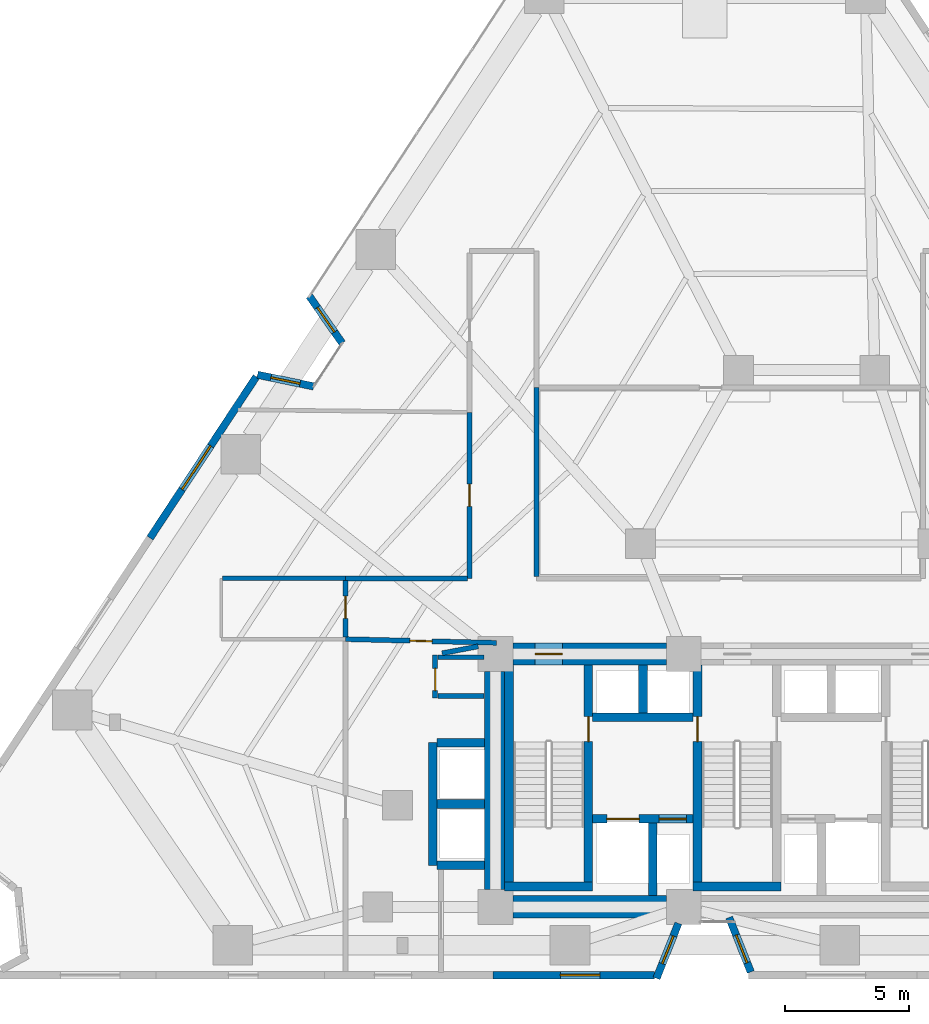
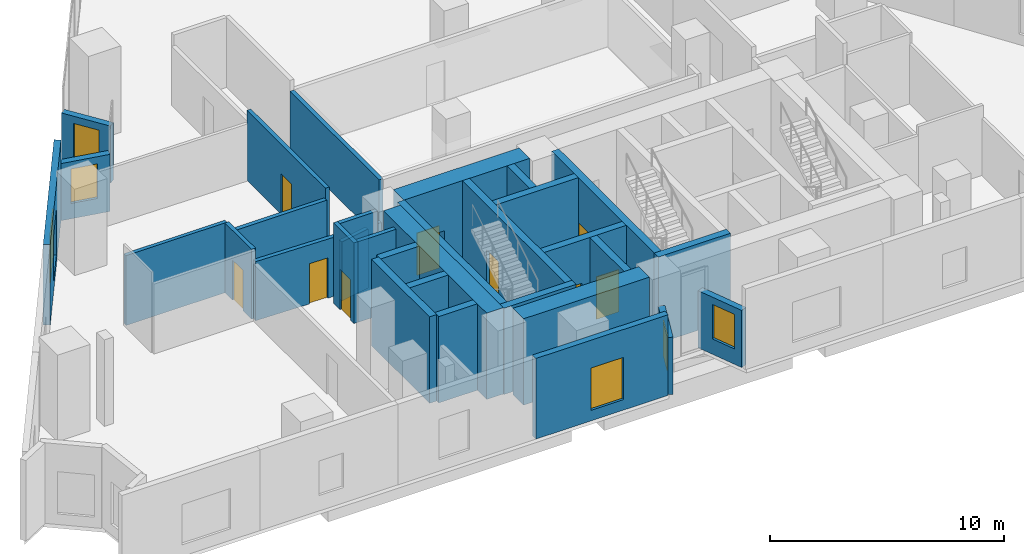
# One storey, part 7 of 12: 32 walls, 9 doors, 6 windows, 15 openings.
"""IFC4 building model written with IfcOpenShell, lengths in metres."""

from ifc_helpers import new_model, si_unit, direction, frame, frame_2d, origin, place, context, subcontext, project, spatial, rectangle, extrude, material, layer, layer_set, type_object, element, fill, save


model = new_model("IFC4")

# Units and contexts
model_context = context("Model", 3, precision=1e-05, world=origin(), true_north=direction((0.0, 1.0)))
body_context = subcontext(model_context, "Body", "Model", "MODEL_VIEW")
ifc_project = project(units=[si_unit("LENGTHUNIT", "METRE"), si_unit("AREAUNIT", "SQUARE_METRE"), si_unit("VOLUMEUNIT", "CUBIC_METRE"), si_unit("PLANEANGLEUNIT", "RADIAN"), si_unit("MASSUNIT", "GRAM", prefix="KILO")], contexts=[model_context])

# Site, building, storey
site_placement = place(None, origin())
site = spatial("IfcSite", under=ifc_project, at=site_placement, CompositionType="ELEMENT")
building_placement = place(site_placement, origin())
building = spatial("IfcBuilding", under=site, at=building_placement, Name="Almagre Mirador Tower", CompositionType="ELEMENT")
storey_placement = place(building_placement, frame((0.0, 0.0, 12.89990234375)))
storey = spatial("IfcBuildingStorey", under=building, at=storey_placement, Name="L02", CompositionType="ELEMENT", Elevation=12.89990234375)

# Wall, opening, window
ifc_material_1 = material(Name="Precast concrete C50/60", Category="concrete")
ifc_layer_1 = layer(ifc_material_1, 0.300048828125)
ifc_layer_set_1 = layer_set([ifc_layer_1], Name="Precast concrete C50/60")
wall_type_1 = type_object("IfcWallType", Name="WAL-EXT-300", PredefinedType="SOLIDWALL", material=ifc_layer_set_1)
wall_1_placement = place(storey_placement, frame((17.955078125, 26.012939453125, 0.0), z_axis=(0.0, 0.0, 1.0), x_axis=(0.97922646473, -0.202769649536, 0.0)))
wall_1 = element("IfcWall", 1, at=wall_1_placement, inside=storey, type_object=wall_type_1, Name="L02 expressed almagre precast frame wall 01", PredefinedType="SOLIDWALL", context=body_context, shape_type="SweptSolid", body=[
    extrude(rectangle(XDim=2.31298828125, YDim=0.300048828125, at=frame_2d((1.156494140625, 0.0))), origin(), (0.0, 0.0, 1.0), 2.97509765625),
])
opening_1_placement = place(wall_1_placement, frame((0.550048828125, 0.0, 0.800048828125)))
opening_1 = element("IfcOpeningElement", 2, at=opening_1_placement, cuts=wall_1, Name="Opening WN-04", PredefinedType="OPENING", context=body_context, shape_type="SweptSolid", body=[
    extrude(rectangle(XDim=1.199951171875, YDim=1.800048828125, at=frame_2d((0.60009765625, 0.89990234375))), frame((0.0, 0.159902, 0.0), z_axis=(0.0, -1.0, 0.0), x_axis=(1.0, 0.0, 0.0)), (0.0, 0.0, 1.0), 0.320049),
])
ifc_material_2 = material(Name="Dark solar-control laminated hurricane glass", Category="glass")
window_type_1 = type_object("IfcWindowType", Name="WIN-1200X1800", PartitioningType="SINGLE_PANEL", PredefinedType="WINDOW", material=ifc_material_2)
window_1_placement = place(opening_1_placement, origin())
window_1 = element("IfcWindow", 3, at=window_1_placement, inside=storey, type_object=window_type_1, Name="L02 recessed hurricane window L02-TRN-10", OverallHeight=1.800048828125, OverallWidth=1.199951171875, PartitioningType="SINGLE_PANEL", PredefinedType="WINDOW", context=body_context, shape_type="SweptSolid", body=[
    extrude(rectangle(XDim=1.199951171875, YDim=1.800048828125, at=frame_2d((0.60009765625, 0.89990234375))), frame((0.0, 0.030029296875, 0.0), z_axis=(0.0, -1.0, 0.0), x_axis=(1.0, 0.0, 0.0)), (0.0, 0.0, 1.0), 0.06005859375),
])
fill(opening_1, window_1)

wall_2_placement = place(storey_placement, frame((21.3701171875, 27.2900390625, 0.0), z_axis=(0.0, 0.0, 1.0), x_axis=(-0.572683186414, 0.819776779373, 0.0)))
wall_2 = element("IfcWall", 4, at=wall_2_placement, inside=storey, type_object=wall_type_1, Name="L02 expressed almagre precast frame wall 02", PredefinedType="SOLIDWALL", context=body_context, shape_type="SweptSolid", body=[
    extrude(rectangle(XDim=2.31396484375, YDim=0.300048828125, at=frame_2d((1.156982421875, 0.0))), origin(), (0.0, 0.0, 1.0), 2.97509765625),
])
opening_2_placement = place(wall_2_placement, frame((0.550048828125, 0.0, 0.800048828125)))
opening_2 = element("IfcOpeningElement", 5, at=opening_2_placement, cuts=wall_2, Name="Opening WN-04", PredefinedType="OPENING", context=body_context, shape_type="SweptSolid", body=[
    extrude(rectangle(XDim=1.199951171875, YDim=1.800048828125, at=frame_2d((0.60009765625, 0.89990234375))), frame((0.0, 0.159902, 0.0), z_axis=(0.0, -1.0, 0.0), x_axis=(1.0, 0.0, 0.0)), (0.0, 0.0, 1.0), 0.320049),
])
window_2_placement = place(opening_2_placement, origin())
window_2 = element("IfcWindow", 6, at=window_2_placement, inside=storey, type_object=window_type_1, Name="L02 recessed hurricane window L02-TRN-10", OverallHeight=1.800048828125, OverallWidth=1.199951171875, PartitioningType="SINGLE_PANEL", PredefinedType="WINDOW", context=body_context, shape_type="SweptSolid", body=[
    extrude(rectangle(XDim=1.199951171875, YDim=1.800048828125, at=frame_2d((0.60009765625, 0.89990234375))), frame((0.0, 0.030029296875, 0.0), z_axis=(0.0, -1.0, 0.0), x_axis=(1.0, 0.0, 0.0)), (0.0, 0.0, 1.0), 0.06005859375),
])
fill(opening_2, window_2)

wall_3_placement = place(storey_placement, frame((37.85009765625, 1.92529296875, 0.0), z_axis=(0.0, 0.0, 1.0), x_axis=(-0.36946923074, 0.92924296475, 0.0)))
wall_3 = element("IfcWall", 7, at=wall_3_placement, inside=storey, type_object=wall_type_1, Name="L02 expressed almagre precast frame wall 23", PredefinedType="SOLIDWALL", context=body_context, shape_type="SweptSolid", body=[
    extrude(rectangle(XDim=2.366943359375, YDim=0.300048828125, at=frame_2d((1.18359375, 0.0))), origin(), (0.0, 0.0, 1.0), 2.97509765625),
])
opening_3_placement = place(wall_3_placement, frame((0.39990234375, 0.0, 0.800048828125)))
opening_3 = element("IfcOpeningElement", 8, at=opening_3_placement, cuts=wall_3, Name="Opening WN-04", PredefinedType="OPENING", context=body_context, shape_type="SweptSolid", body=[
    extrude(rectangle(XDim=1.199951171875, YDim=1.800048828125, at=frame_2d((0.60009765625, 0.89990234375))), frame((0.0, 0.159902, 0.0), z_axis=(0.0, -1.0, 0.0), x_axis=(1.0, 0.0, 0.0)), (0.0, 0.0, 1.0), 0.320049),
])
window_3_placement = place(opening_3_placement, origin())
window_3 = element("IfcWindow", 9, at=window_3_placement, inside=storey, type_object=window_type_1, Name="L02 recessed hurricane window L02-AUD-2", OverallHeight=1.800048828125, OverallWidth=1.199951171875, PartitioningType="SINGLE_PANEL", PredefinedType="WINDOW", context=body_context, shape_type="SweptSolid", body=[
    extrude(rectangle(XDim=1.199951171875, YDim=1.800048828125, at=frame_2d((0.60009765625, 0.89990234375))), frame((0.0, 0.030029296875, 0.0), z_axis=(0.0, -1.0, 0.0), x_axis=(1.0, 0.0, 0.0)), (0.0, 0.0, 1.0), 0.06005859375),
])
fill(opening_3, window_3)

wall_4_placement = place(storey_placement, frame((34.930419921875, 3.887939453125, 0.0), z_axis=(0.0, 0.0, 1.0), x_axis=(-0.369538313764, -0.9292154942, 0.0)))
wall_4 = element("IfcWall", 10, at=wall_4_placement, inside=storey, type_object=wall_type_1, Name="L02 expressed almagre precast frame wall 24", PredefinedType="SOLIDWALL", context=body_context, shape_type="SweptSolid", body=[
    extrude(rectangle(XDim=2.386962890625, YDim=0.300048828125, at=frame_2d((1.193359375, 0.0))), origin(), (0.0, 0.0, 1.0), 2.97509765625),
])
opening_4_placement = place(wall_4_placement, frame((0.550048828125, 0.0, 0.800048828125)))
opening_4 = element("IfcOpeningElement", 11, at=opening_4_placement, cuts=wall_4, Name="Opening WN-04", PredefinedType="OPENING", context=body_context, shape_type="SweptSolid", body=[
    extrude(rectangle(XDim=1.199951171875, YDim=1.800048828125, at=frame_2d((0.60009765625, 0.89990234375))), frame((0.0, 0.159902, 0.0), z_axis=(0.0, -1.0, 0.0), x_axis=(1.0, 0.0, 0.0)), (0.0, 0.0, 1.0), 0.320049),
])
window_4_placement = place(opening_4_placement, origin())
window_4 = element("IfcWindow", 12, at=window_4_placement, inside=storey, type_object=window_type_1, Name="L02 recessed hurricane window L02-GRN-1", OverallHeight=1.800048828125, OverallWidth=1.199951171875, PartitioningType="SINGLE_PANEL", PredefinedType="WINDOW", context=body_context, shape_type="SweptSolid", body=[
    extrude(rectangle(XDim=1.199951171875, YDim=1.800048828125, at=frame_2d((0.60009765625, 0.89990234375))), frame((0.0, 0.030029296875, 0.0), z_axis=(0.0, -1.0, 0.0), x_axis=(1.0, 0.0, 0.0)), (0.0, 0.0, 1.0), 0.06005859375),
])
fill(opening_4, window_4)

wall_5_placement = place(storey_placement, frame((33.965087890625, 1.800048828125, 0.0), z_axis=(0.0, 0.0, 1.0), x_axis=(-1.0, 0.0, 0.0)))
wall_5 = element("IfcWall", 13, at=wall_5_placement, inside=storey, type_object=wall_type_1, Name="L02 expressed almagre precast frame wall 25", PredefinedType="SOLIDWALL", context=body_context, shape_type="SweptSolid", body=[
    extrude(rectangle(XDim=6.52001953125, YDim=0.300048828125, at=frame_2d((3.260009765625, 0.0))), origin(), (0.0, 0.0, 1.0), 4.2001953125),
])
opening_5_placement = place(wall_5_placement, frame((2.199951171875, 0.0, 0.550048828125)))
opening_5 = element("IfcOpeningElement", 14, at=opening_5_placement, cuts=wall_5, Name="Opening WN-06", PredefinedType="OPENING", context=body_context, shape_type="SweptSolid", body=[
    extrude(rectangle(XDim=1.60009765625, YDim=2.199951171875, at=frame_2d((0.800048828125, 1.10009765625))), frame((0.0, 0.159902, 0.0), z_axis=(0.0, -1.0, 0.0), x_axis=(1.0, 0.0, 0.0)), (0.0, 0.0, 1.0), 0.320049),
])
ifc_material_3 = material(Name="Dark solar-control laminated hurricane glass", Category="glass")
window_type_2 = type_object("IfcWindowType", Name="WIN-1600X2200", PartitioningType="DOUBLE_PANEL_VERTICAL", PredefinedType="WINDOW", material=ifc_material_3)
window_5_placement = place(opening_5_placement, origin())
window_5 = element("IfcWindow", 15, at=window_5_placement, inside=storey, type_object=window_type_2, Name="L02 recessed hurricane window L02-GRN-1", OverallHeight=2.199951171875, OverallWidth=1.60009765625, PartitioningType="SINGLE_PANEL", PredefinedType="WINDOW", context=body_context, shape_type="SweptSolid", body=[
    extrude(rectangle(XDim=1.60009765625, YDim=2.199951171875, at=frame_2d((0.800048828125, 1.10009765625))), frame((0.0, 0.030029296875, 0.0), z_axis=(0.0, -1.0, 0.0), x_axis=(1.0, 0.0, 0.0)), (0.0, 0.0, 1.0), 0.06005859375),
])
fill(opening_5, window_5)

wall_6_placement = place(storey_placement, frame((13.615966796875, 19.42822265625, 0.0), z_axis=(0.0, 0.0, 1.0), x_axis=(0.550240418506, 0.835006276529, 0.0)))
wall_6 = element("IfcWall", 16, at=wall_6_placement, inside=storey, type_object=wall_type_1, Name="L02 expressed almagre precast frame wall 35", PredefinedType="SOLIDWALL", context=body_context, shape_type="SweptSolid", body=[
    extrude(rectangle(XDim=7.795654296875, YDim=0.300048828125, at=frame_2d((3.89794921875, 0.0))), origin(), (0.0, 0.0, 1.0), 4.2001953125),
])
opening_6_placement = place(wall_6_placement, frame((2.35009765625, 0.0, 0.550048828125)))
opening_6 = element("IfcOpeningElement", 17, at=opening_6_placement, cuts=wall_6, Name="Opening WN-05", PredefinedType="OPENING", context=body_context, shape_type="SweptSolid", body=[
    extrude(rectangle(XDim=2.10009765625, YDim=2.39990234375, at=frame_2d((1.050048828125, 1.199951171875))), frame((0.0, 0.159902, 0.0), z_axis=(0.0, -1.0, 0.0), x_axis=(1.0, 0.0, 0.0)), (0.0, 0.0, 1.0), 0.320049),
])
ifc_material_4 = material(Name="Dark solar-control laminated hurricane glass", Category="glass")
window_type_3 = type_object("IfcWindowType", Name="WIN-2100X2400", PartitioningType="DOUBLE_PANEL_VERTICAL", PredefinedType="WINDOW", material=ifc_material_4)
window_6_placement = place(opening_6_placement, origin())
window_6 = element("IfcWindow", 18, at=window_6_placement, inside=storey, type_object=window_type_3, Name="L02 recessed hurricane window L02-TRN-4", OverallHeight=2.39990234375, OverallWidth=2.10009765625, PartitioningType="SINGLE_PANEL", PredefinedType="WINDOW", context=body_context, shape_type="SweptSolid", body=[
    extrude(rectangle(XDim=2.10009765625, YDim=2.39990234375, at=frame_2d((1.050048828125, 1.199951171875))), frame((0.0, 0.030029296875, 0.0), z_axis=(0.0, -1.0, 0.0), x_axis=(1.0, 0.0, 0.0)), (0.0, 0.0, 1.0), 0.06005859375),
])
fill(opening_6, window_6)

# Wall
ifc_material_5 = material(Name="Gypsum acoustic stud partition", Category="other")
ifc_layer_2 = layer(ifc_material_5, 0.175048828125)
ifc_layer_set_2 = layer_set([ifc_layer_2], Name="Gypsum acoustic stud partition")
wall_type_2 = type_object("IfcWallType", Name="WAL-PRT-175-AC", PredefinedType="PARTITIONING", material=ifc_layer_set_2)
wall_7_placement = place(storey_placement, frame((16.534912109375, 17.800048828125, 0.0), z_axis=(0.0, 0.0, 1.0), x_axis=(1.0, 0.0, 0.0)))
element("IfcWall", 19, at=wall_7_placement, inside=storey, type_object=wall_type_2, Name="L02 interior partition 027", PredefinedType="PARTITIONING", context=body_context, shape_type="SweptSolid", body=[
    extrude(rectangle(XDim=4.965087890625, YDim=0.175048828125, at=frame_2d((2.482421875, 0.0))), origin(), (0.0, 0.0, 1.0), 3.63720703125),
])

# Wall, opening, door
ifc_material_6 = material(Name="Gypsum acoustic stud partition", Category="other")
ifc_layer_3 = layer(ifc_material_6, 0.199951171875)
ifc_layer_set_3 = layer_set([ifc_layer_3], Name="Gypsum acoustic stud partition")
wall_type_3 = type_object("IfcWallType", Name="WAL-PRT-200-EI60", PredefinedType="PARTITIONING", material=ifc_layer_set_3)
wall_8_placement = place(storey_placement, frame((25.1201171875, 12.969970703125, 0.0), z_axis=(0.0, 0.0, 1.0), x_axis=(0.0, 1.0, 0.0)))
wall_8 = element("IfcWall", 20, at=wall_8_placement, inside=storey, type_object=wall_type_3, Name="L02 core ancillary west wall", PredefinedType="PARTITIONING", context=body_context, shape_type="SweptSolid", body=[
    extrude(rectangle(XDim=1.739990234375, YDim=0.199951171875, at=frame_2d((0.8701171875, 0.0))), origin(), (0.0, 0.0, 1.0), 4.2001953125),
])
opening_7_placement = place(wall_8_placement, frame((0.304931640625, 0.0, 0.0)))
opening_7 = element("IfcOpeningElement", 21, at=opening_7_placement, cuts=wall_8, Name="Opening ID-03", PredefinedType="OPENING", context=body_context, shape_type="SweptSolid", body=[
    extrude(rectangle(XDim=0.89990234375, YDim=2.10009765625, at=frame_2d((0.449951171875, 1.050048828125))), frame((0.0, 0.110098, 0.0), z_axis=(0.0, -1.0, 0.0), x_axis=(1.0, 0.0, 0.0)), (0.0, 0.0, 1.0), 0.219951),
])
ifc_material_7 = material(Name="Fire-rated hollow steel", Category="steel")
door_type_1 = type_object("IfcDoorType", Name="DOR-FD60-900X2100", OperationType="NOTDEFINED", PredefinedType="DOOR", material=ifc_material_7)
door_1_placement = place(opening_7_placement, origin())
door_1 = element("IfcDoor", 22, at=door_1_placement, inside=storey, type_object=door_type_1, Name="DR-0094 L02 core ancillary corridor door", OperationType="SINGLE_SWING_RIGHT", OverallHeight=2.10009765625, OverallWidth=0.89990234375, PredefinedType="DOOR", context=body_context, shape_type="SweptSolid", body=[
    extrude(rectangle(XDim=0.89990234375, YDim=2.10009765625, at=frame_2d((0.449951171875, 1.050048828125))), frame((0.0, 0.02490234375, 0.0), z_axis=(0.0, -1.0, 0.0), x_axis=(1.0, 0.0, 0.0)), (0.0, 0.0, 1.0), 0.050048828125),
])
fill(opening_7, door_1)

# Walls
for number, where, z_axis, x_axis, name in (
    (23, (25.22509765625, 14.6201171875, 0.0), (0.0, 0.0, 1.0), (1.0, 0.0, 0.0), "L02 core ancillary north wall"),
    (24, (25.22509765625, 13.06005859375, 0.0), (0.0, 0.0, 1.0), (1.0, 0.0, 0.0), "L02 core ancillary south wall"),
):
    element("IfcWall", number, at=place(storey_placement, frame(where, z_axis=z_axis, x_axis=x_axis)), inside=storey, type_object=wall_type_3, Name=name, PredefinedType="PARTITIONING", context=body_context, shape_type="SweptSolid", body=[
        extrude(rectangle(XDim=1.85986328125, YDim=0.199951171875, at=frame_2d((0.929931640625, 0.0))), origin(), (0.0, 0.0, 1.0), 4.2001953125),
    ])

# Wall, opening, door
wall_9_placement = place(storey_placement, frame((21.5, 15.35009765625, 0.0), z_axis=(0.0, 0.0, 1.0), x_axis=(0.999697218396, -0.024606331118, 0.0)))
wall_9 = element("IfcWall", 25, at=wall_9_placement, inside=storey, type_object=wall_type_3, Name="L02 interior partition 001", PredefinedType="PARTITIONING", context=body_context, shape_type="SweptSolid", body=[
    extrude(rectangle(XDim=6.10205078125, YDim=0.199951171875, at=frame_2d((3.051025390625, 0.0))), origin(), (0.0, 0.0, 1.0), 3.078125),
])
opening_8_placement = place(wall_9_placement, frame((2.600830078125, 0.0, 0.0)))
opening_8 = element("IfcOpeningElement", 26, at=opening_8_placement, cuts=wall_9, Name="Opening ID-03", PredefinedType="OPENING", context=body_context, shape_type="SweptSolid", body=[
    extrude(rectangle(XDim=0.89990234375, YDim=2.10009765625, at=frame_2d((0.449951171875, 1.050048828125))), frame((0.0, 0.110098, 0.0), z_axis=(0.0, -1.0, 0.0), x_axis=(1.0, 0.0, 0.0)), (0.0, 0.0, 1.0), 0.219951),
])
door_2_placement = place(opening_8_placement, origin())
door_2 = element("IfcDoor", 27, at=door_2_placement, inside=storey, type_object=door_type_1, Name="DR-0101 L02 interior door L02-COR to L02-FOY-3", OperationType="SINGLE_SWING_LEFT", OverallHeight=2.10009765625, OverallWidth=0.89990234375, PredefinedType="DOOR", context=body_context, shape_type="SweptSolid", body=[
    extrude(rectangle(XDim=0.89990234375, YDim=2.10009765625, at=frame_2d((0.449951171875, 1.050048828125))), frame((0.0, 0.02490234375, 0.0), z_axis=(0.0, -1.0, 0.0), x_axis=(1.0, 0.0, 0.0)), (0.0, 0.0, 1.0), 0.050048828125),
])
fill(opening_8, door_2)

wall_10_placement = place(storey_placement, frame((26.5, 24.5, 0.0), z_axis=(0.0, 0.0, 1.0), x_axis=(0.0, -1.0, 0.0)))
wall_10 = element("IfcWall", 28, at=wall_10_placement, inside=storey, type_object=wall_type_3, Name="L02 interior partition 002", PredefinedType="PARTITIONING", context=body_context, shape_type="SweptSolid", body=[
    extrude(rectangle(XDim=6.699951171875, YDim=0.199951171875, at=frame_2d((3.35009765625, 0.0))), origin(), (0.0, 0.0, 1.0), 3.63720703125),
])
opening_9_placement = place(wall_10_placement, frame((2.89990234375, 0.0, 0.0)))
opening_9 = element("IfcOpeningElement", 29, at=opening_9_placement, cuts=wall_10, Name="Opening ID-03", PredefinedType="OPENING", context=body_context, shape_type="SweptSolid", body=[
    extrude(rectangle(XDim=0.89990234375, YDim=2.10009765625, at=frame_2d((0.449951171875, 1.050048828125))), frame((0.0, 0.110098, 0.0), z_axis=(0.0, -1.0, 0.0), x_axis=(1.0, 0.0, 0.0)), (0.0, 0.0, 1.0), 0.219951),
])
door_3_placement = place(opening_9_placement, origin())
door_3 = element("IfcDoor", 30, at=door_3_placement, inside=storey, type_object=door_type_1, Name="DR-0105 L02 interior door L02-COR to L02-TRN-4", OperationType="SINGLE_SWING_LEFT", OverallHeight=2.10009765625, OverallWidth=0.89990234375, PredefinedType="DOOR", context=body_context, shape_type="SweptSolid", body=[
    extrude(rectangle(XDim=0.89990234375, YDim=2.10009765625, at=frame_2d((0.449951171875, 1.050048828125))), frame((0.0, 0.02490234375, 0.0), z_axis=(0.0, -1.0, 0.0), x_axis=(1.0, 0.0, 0.0)), (0.0, 0.0, 1.0), 0.050048828125),
])
fill(opening_9, door_3)

# Wall
wall_11_placement = place(storey_placement, frame((26.4150390625, 17.800048828125, 0.0), z_axis=(0.0, 0.0, 1.0), x_axis=(-1.0, 0.0, 0.0)))
element("IfcWall", 31, at=wall_11_placement, inside=storey, type_object=wall_type_3, Name="L02 interior partition 003", PredefinedType="PARTITIONING", context=body_context, shape_type="SweptSolid", body=[
    extrude(rectangle(XDim=4.9150390625, YDim=0.199951171875, at=frame_2d((2.45751953125, 0.0))), origin(), (0.0, 0.0, 1.0), 3.078125),
])

# Wall, opening, door
wall_12_placement = place(storey_placement, frame((21.5, 17.715087890625, 0.0), z_axis=(0.0, 0.0, 1.0), x_axis=(0.0, -1.0, 0.0)))
wall_12 = element("IfcWall", 32, at=wall_12_placement, inside=storey, type_object=wall_type_3, Name="L02 interior partition 005", PredefinedType="PARTITIONING", context=body_context, shape_type="SweptSolid", body=[
    extrude(rectangle(XDim=2.280029296875, YDim=0.199951171875, at=frame_2d((1.14013671875, 0.0))), origin(), (0.0, 0.0, 1.0), 3.63720703125),
])
opening_10_placement = place(wall_12_placement, frame((0.63232421875, 0.0, 0.0)))
opening_10 = element("IfcOpeningElement", 33, at=opening_10_placement, cuts=wall_12, Name="Opening ID-03", PredefinedType="OPENING", context=body_context, shape_type="SweptSolid", body=[
    extrude(rectangle(XDim=0.89990234375, YDim=2.10009765625, at=frame_2d((0.449951171875, 1.050048828125))), frame((0.0, 0.110098, 0.0), z_axis=(0.0, -1.0, 0.0), x_axis=(1.0, 0.0, 0.0)), (0.0, 0.0, 1.0), 0.219951),
])
door_4_placement = place(opening_10_placement, origin())
door_4 = element("IfcDoor", 34, at=door_4_placement, inside=storey, type_object=door_type_1, Name="DR-0099 L02 interior door L02-COR to L02-BKT-6", OperationType="SINGLE_SWING_LEFT", OverallHeight=2.10009765625, OverallWidth=0.89990234375, PredefinedType="DOOR", context=body_context, shape_type="SweptSolid", body=[
    extrude(rectangle(XDim=0.89990234375, YDim=2.10009765625, at=frame_2d((0.449951171875, 1.050048828125))), frame((0.0, 0.02490234375, 0.0), z_axis=(0.0, -1.0, 0.0), x_axis=(1.0, 0.0, 0.0)), (0.0, 0.0, 1.0), 0.050048828125),
])
fill(opening_10, door_4)

# Walls
wall_13_placement = place(storey_placement, frame((29.199951171875, 17.885009765625, 0.0), z_axis=(0.0, 0.0, 1.0), x_axis=(0.0, 1.0, 0.0)))
element("IfcWall", 35, at=wall_13_placement, inside=storey, type_object=wall_type_3, Name="L02 interior partition 009", PredefinedType="PARTITIONING", context=body_context, shape_type="SweptSolid", body=[
    extrude(rectangle(XDim=7.614990234375, YDim=0.199951171875, at=frame_2d((3.8076171875, 0.0))), origin(), (0.0, 0.0, 1.0), 3.078125),
])
wall_14_placement = place(storey_placement, frame((25.39892578125, 14.780029296875, 0.0), z_axis=(0.0, 0.0, 1.0), x_axis=(0.982293908453, 0.187346410202, 0.0)))
element("IfcWall", 36, at=wall_14_placement, inside=storey, type_object=wall_type_3, Name="L02 interior partition 035", PredefinedType="PARTITIONING", context=body_context, shape_type="SweptSolid", body=[
    extrude(rectangle(XDim=1.484375, YDim=0.199951171875, at=frame_2d((0.7421875, 0.0))), origin(), (0.0, 0.0, 1.0), 3.078125),
])
ifc_material_8 = material(Name="Concrete C60/75", Category="concrete")
ifc_layer_4 = layer(ifc_material_8, 0.35009765625)
ifc_layer_set_4 = layer_set([ifc_layer_4], Name="Concrete C60/75")
wall_type_4 = type_object("IfcWallType", Name="WAL-SHF-350", PredefinedType="SOLIDWALL", material=ifc_layer_set_4)
wall_15_placement = place(storey_placement, frame((28.10009765625, 5.199951171875, 0.0), z_axis=(0.0, 0.0, 1.0), x_axis=(0.0, 1.0, 0.0)))
element("IfcWall", 37, at=wall_15_placement, inside=storey, type_object=wall_type_4, Name="L02 shaft wall ST1-W", PredefinedType="SOLIDWALL", context=body_context, shape_type="SweptSolid", body=[
    extrude(rectangle(XDim=9.10009765625, YDim=0.35009765625, at=frame_2d((4.550048828125, 0.0))), origin(), (0.0, 0.0, 1.0), 4.5),
])

# Wall, opening, door
wall_16_placement = place(storey_placement, frame((31.300048828125, 5.199951171875, 0.0), z_axis=(0.0, 0.0, 1.0), x_axis=(0.0, 1.0, 0.0)))
wall_16 = element("IfcWall", 38, at=wall_16_placement, inside=storey, type_object=wall_type_4, Name="L02 shaft wall ST1-E", PredefinedType="SOLIDWALL", context=body_context, shape_type="SweptSolid", body=[
    extrude(rectangle(XDim=9.10009765625, YDim=0.35009765625, at=frame_2d((4.550048828125, 0.0))), origin(), (0.0, 0.0, 1.0), 4.5),
])
opening_11_placement = place(wall_16_placement, frame((6.02001953125, 0.0, 0.0)))
opening_11 = element("IfcOpeningElement", 39, at=opening_11_placement, cuts=wall_16, Name="Opening FD-01", PredefinedType="OPENING", context=body_context, shape_type="SweptSolid", body=[
    extrude(rectangle(XDim=1.0, YDim=2.14990234375, at=frame_2d((0.5, 1.074951171875))), frame((0.0, 0.185049, 0.0), z_axis=(0.0, -1.0, 0.0), x_axis=(1.0, 0.0, 0.0)), (0.0, 0.0, 1.0), 0.370098),
])
ifc_material_9 = material(Name="Fire-rated hollow steel", Category="steel")
door_type_2 = type_object("IfcDoorType", Name="DOR-FFL-1000X2150", OperationType="NOTDEFINED", PredefinedType="DOOR", material=ifc_material_9)
door_5_placement = place(opening_11_placement, origin())
door_5 = element("IfcDoor", 40, at=door_5_placement, inside=storey, type_object=door_type_2, Name="DR-0095 L02 FFL1-ST1 smokeproof door", OperationType="SINGLE_SWING_RIGHT", OverallHeight=2.14990234375, OverallWidth=1.0, PredefinedType="DOOR", context=body_context, shape_type="SweptSolid", body=[
    extrude(rectangle(XDim=1.0, YDim=2.14990234375, at=frame_2d((0.5, 1.074951171875))), frame((0.0, 0.02490234375, 0.0), z_axis=(0.0, -1.0, 0.0), x_axis=(1.0, 0.0, 0.0)), (0.0, 0.0, 1.0), 0.050048828125),
])
fill(opening_11, door_5)

# Wall
wall_17_placement = place(storey_placement, frame((27.925048828125, 5.375, 0.0), z_axis=(0.0, 0.0, 1.0), x_axis=(1.0, 0.0, 0.0)))
element("IfcWall", 41, at=wall_17_placement, inside=storey, type_object=wall_type_4, Name="L02 shaft wall ST1-S", PredefinedType="SOLIDWALL", context=body_context, shape_type="SweptSolid", body=[
    extrude(rectangle(XDim=3.550048828125, YDim=0.35009765625, at=frame_2d((1.77490234375, 0.0))), origin(), (0.0, 0.0, 1.0), 4.5),
])

# Wall, opening, door
wall_18_placement = place(storey_placement, frame((35.699951171875, 5.199951171875, 0.0), z_axis=(0.0, 0.0, 1.0), x_axis=(0.0, 1.0, 0.0)))
wall_18 = element("IfcWall", 42, at=wall_18_placement, inside=storey, type_object=wall_type_4, Name="L02 shaft wall ST2-W", PredefinedType="SOLIDWALL", context=body_context, shape_type="SweptSolid", body=[
    extrude(rectangle(XDim=9.10009765625, YDim=0.35009765625, at=frame_2d((4.550048828125, 0.0))), origin(), (0.0, 0.0, 1.0), 4.5),
])
opening_12_placement = place(wall_18_placement, frame((6.02001953125, 0.0, 0.0)))
opening_12 = element("IfcOpeningElement", 43, at=opening_12_placement, cuts=wall_18, Name="Opening FD-01", PredefinedType="OPENING", context=body_context, shape_type="SweptSolid", body=[
    extrude(rectangle(XDim=1.0, YDim=2.14990234375, at=frame_2d((0.5, 1.074951171875))), frame((0.0, 0.185049, 0.0), z_axis=(0.0, -1.0, 0.0), x_axis=(1.0, 0.0, 0.0)), (0.0, 0.0, 1.0), 0.370098),
])
door_6_placement = place(opening_12_placement, origin())
door_6 = element("IfcDoor", 44, at=door_6_placement, inside=storey, type_object=door_type_2, Name="DR-0096 L02 FFL1-ST2 smokeproof door", OperationType="SINGLE_SWING_LEFT", OverallHeight=2.14990234375, OverallWidth=1.0, PredefinedType="DOOR", context=body_context, shape_type="SweptSolid", body=[
    extrude(rectangle(XDim=1.0, YDim=2.14990234375, at=frame_2d((0.5, 1.074951171875))), frame((0.0, 0.02490234375, 0.0), z_axis=(0.0, -1.0, 0.0), x_axis=(1.0, 0.0, 0.0)), (0.0, 0.0, 1.0), 0.050048828125),
])
fill(opening_12, door_6)

# Wall
wall_19_placement = place(storey_placement, frame((35.52490234375, 5.375, 0.0), z_axis=(0.0, 0.0, 1.0), x_axis=(1.0, 0.0, 0.0)))
element("IfcWall", 45, at=wall_19_placement, inside=storey, type_object=wall_type_4, Name="L02 shaft wall ST2-S", PredefinedType="SOLIDWALL", context=body_context, shape_type="SweptSolid", body=[
    extrude(rectangle(XDim=3.550048828125, YDim=0.35009765625, at=frame_2d((1.77490234375, 0.0))), origin(), (0.0, 0.0, 1.0), 4.5),
])

# Wall, openings, doors
wall_20_placement = place(storey_placement, frame((31.47509765625, 8.10009765625, 0.0), z_axis=(0.0, 0.0, 1.0), x_axis=(1.0, 0.0, 0.0)))
wall_20 = element("IfcWall", 46, at=wall_20_placement, inside=storey, type_object=wall_type_4, Name="L02 shaft wall FSAE1-N", PredefinedType="SOLIDWALL", context=body_context, shape_type="SweptSolid", body=[
    extrude(rectangle(XDim=4.0498046875, YDim=0.35009765625, at=frame_2d((2.02490234375, 0.0))), origin(), (0.0, 0.0, 1.0), 4.5),
])
opening_13_placement = place(wall_20_placement, frame((0.574951171875, 0.0, 0.0)))
opening_13 = element("IfcOpeningElement", 47, at=opening_13_placement, cuts=wall_20, Name="Opening LD-03", PredefinedType="OPENING", context=body_context, shape_type="SweptSolid", body=[
    extrude(rectangle(XDim=1.300048828125, YDim=2.25, at=frame_2d((0.64990234375, 1.125))), frame((0.0, 0.185049, 0.0), z_axis=(0.0, -1.0, 0.0), x_axis=(1.0, 0.0, 0.0)), (0.0, 0.0, 1.0), 0.370098),
])
opening_14_placement = place(wall_20_placement, frame((2.675048828125, 0.0, 0.0)))
opening_14 = element("IfcOpeningElement", 48, at=opening_14_placement, cuts=wall_20, Name="Opening LD-01", PredefinedType="OPENING", context=body_context, shape_type="SweptSolid", body=[
    extrude(rectangle(XDim=1.10009765625, YDim=2.199951171875, at=frame_2d((0.550048828125, 1.10009765625))), frame((0.0, 0.185049, 0.0), z_axis=(0.0, -1.0, 0.0), x_axis=(1.0, 0.0, 0.0)), (0.0, 0.0, 1.0), 0.370098),
])
ifc_material_10 = material(Name="Hollow stainless steel", Category="steel")
door_type_3 = type_object("IfcDoorType", Name="DOR-LD-1100X2200", OperationType="DOUBLE_DOOR_SLIDING", PredefinedType="DOOR", material=ifc_material_10)
door_7_placement = place(opening_14_placement, origin())
door_7 = element("IfcDoor", 49, at=door_7_placement, inside=storey, type_object=door_type_3, Name="DR-0112 L02 PL-L1 lift landing door", OperationType="DOUBLE_DOOR_SLIDING", OverallHeight=2.199951171875, OverallWidth=1.10009765625, PredefinedType="DOOR", context=body_context, shape_type="SweptSolid", body=[
    extrude(rectangle(XDim=1.10009765625, YDim=2.199951171875, at=frame_2d((0.550048828125, 1.10009765625))), frame((0.0, 0.02490234375, 0.0), z_axis=(0.0, -1.0, 0.0), x_axis=(1.0, 0.0, 0.0)), (0.0, 0.0, 1.0), 0.050048828125),
])
fill(opening_14, door_7)
ifc_material_11 = material(Name="Hollow stainless steel", Category="steel")
door_type_4 = type_object("IfcDoorType", Name="DOR-LD-1300X2250", OperationType="DOUBLE_DOOR_SLIDING", PredefinedType="DOOR", material=ifc_material_11)
door_8_placement = place(opening_13_placement, origin())
door_8 = element("IfcDoor", 50, at=door_8_placement, inside=storey, type_object=door_type_4, Name="DR-0110 L02 FSAE-1 lift landing door", OperationType="DOUBLE_DOOR_SLIDING", OverallHeight=2.25, OverallWidth=1.300048828125, PredefinedType="DOOR", context=body_context, shape_type="SweptSolid", body=[
    extrude(rectangle(XDim=1.300048828125, YDim=2.25, at=frame_2d((0.64990234375, 1.125))), frame((0.0, 0.02490234375, 0.0), z_axis=(0.0, -1.0, 0.0), x_axis=(1.0, 0.0, 0.0)), (0.0, 0.0, 1.0), 0.050048828125),
])
fill(opening_13, door_8)

# Walls
wall_21_placement = place(storey_placement, frame((33.89990234375, 5.0, 0.0), z_axis=(0.0, 0.0, 1.0), x_axis=(0.0, 1.0, 0.0)))
element("IfcWall", 51, at=wall_21_placement, inside=storey, type_object=wall_type_4, Name="L02 shaft wall FSAE1-E", PredefinedType="SOLIDWALL", context=body_context, shape_type="SweptSolid", body=[
    extrude(rectangle(XDim=2.925048828125, YDim=0.35009765625, at=frame_2d((1.46240234375, 0.0))), origin(), (0.0, 0.0, 1.0), 4.5),
])
wall_22_placement = place(storey_placement, frame((31.47509765625, 12.199951171875, 0.0), z_axis=(0.0, 0.0, 1.0), x_axis=(1.0, 0.0, 0.0)))
element("IfcWall", 52, at=wall_22_placement, inside=storey, type_object=wall_type_4, Name="L02 shaft wall PLM-S", PredefinedType="SOLIDWALL", context=body_context, shape_type="SweptSolid", body=[
    extrude(rectangle(XDim=4.0498046875, YDim=0.35009765625, at=frame_2d((2.02490234375, 0.0))), origin(), (0.0, 0.0, 1.0), 4.5),
])
wall_23_placement = place(storey_placement, frame((33.5, 12.375, 0.0), z_axis=(0.0, 0.0, 1.0), x_axis=(0.0, 1.0, 0.0)))
element("IfcWall", 53, at=wall_23_placement, inside=storey, type_object=wall_type_4, Name="L02 shaft wall PLM-M", PredefinedType="SOLIDWALL", context=body_context, shape_type="SweptSolid", body=[
    extrude(rectangle(XDim=1.925048828125, YDim=0.35009765625, at=frame_2d((0.96240234375, 0.0))), origin(), (0.0, 0.0, 1.0), 4.5),
])
wall_24_placement = place(storey_placement, frame((25.02490234375, 6.22509765625, 0.0), z_axis=(0.0, 0.0, 1.0), x_axis=(0.0, 1.0, 0.0)))
element("IfcWall", 54, at=wall_24_placement, inside=storey, type_object=wall_type_4, Name="L02 shaft wall OL-W", PredefinedType="SOLIDWALL", context=body_context, shape_type="SweptSolid", body=[
    extrude(rectangle(XDim=4.949951171875, YDim=0.35009765625, at=frame_2d((2.47509765625, 0.0))), origin(), (0.0, 0.0, 1.0), 4.5),
])
for number, where, z_axis, x_axis, name in (
    (55, (25.199951171875, 6.22509765625, 0.0), (0.0, 0.0, 1.0), (1.0, 0.0, 0.0), "L02 shaft wall OL-S"),
    (56, (25.199951171875, 8.699951171875, 0.0), (0.0, 0.0, 1.0), (1.0, 0.0, 0.0), "L02 shaft wall OL-M"),
    (57, (25.199951171875, 11.175048828125, 0.0), (0.0, 0.0, 1.0), (1.0, 0.0, 0.0), "L02 shaft wall OL-N"),
):
    element("IfcWall", number, at=place(storey_placement, frame(where, z_axis=z_axis, x_axis=x_axis)), inside=storey, type_object=wall_type_4, Name=name, PredefinedType="SOLIDWALL", context=body_context, shape_type="SweptSolid", body=[
        extrude(rectangle(XDim=1.900146484375, YDim=0.35009765625, at=frame_2d((0.9501953125, 0.0))), origin(), (0.0, 0.0, 1.0), 4.5),
    ])
ifc_material_12 = material(Name="Concrete C70/85", Category="concrete")
ifc_layer_5 = layer(ifc_material_12, 0.89990234375)
ifc_layer_set_5 = layer_set([ifc_layer_5], Name="Concrete C70/85")
wall_type_5 = type_object("IfcWallType", Name="WAL-SHR-900", PredefinedType="SHEAR", material=ifc_layer_set_5)
wall_25_placement = place(storey_placement, frame((28.25, 4.550048828125, 0.0), z_axis=(0.0, 0.0, 1.0), x_axis=(1.0, 0.0, 0.0)))
element("IfcWall", 58, at=wall_25_placement, inside=storey, type_object=wall_type_5, Name="L02 core shear wall S1", PredefinedType="SHEAR", context=body_context, shape_type="SweptSolid", body=[
    extrude(rectangle(XDim=6.199951171875, YDim=0.89990234375, at=frame_2d((3.10009765625, 0.0))), origin(), (0.0, 0.0, 1.0), 4.5),
])

# Wall, opening, door
wall_26_placement = place(storey_placement, frame((28.25, 14.75, 0.0), z_axis=(0.0, 0.0, 1.0), x_axis=(1.0, 0.0, 0.0)))
wall_26 = element("IfcWall", 59, at=wall_26_placement, inside=storey, type_object=wall_type_5, Name="L02 core shear wall N1", PredefinedType="SHEAR", context=body_context, shape_type="SweptSolid", body=[
    extrude(rectangle(XDim=6.199951171875, YDim=0.89990234375, at=frame_2d((3.10009765625, 0.0))), origin(), (0.0, 0.0, 1.0), 4.5),
])
opening_15_placement = place(wall_26_placement, frame((0.89990234375, 0.0, 0.0)))
opening_15 = element("IfcOpeningElement", 60, at=opening_15_placement, cuts=wall_26, Name="Opening SD-02", PredefinedType="OPENING", context=body_context, shape_type="SweptSolid", body=[
    extrude(rectangle(XDim=1.10009765625, YDim=2.199951171875, at=frame_2d((0.550048828125, 1.10009765625))), frame((0.0, 0.459951, 0.0), z_axis=(0.0, -1.0, 0.0), x_axis=(1.0, 0.0, 0.0)), (0.0, 0.0, 1.0), 0.919902),
])
ifc_material_13 = material(Name="Fire-rated hollow steel", Category="steel")
door_type_5 = type_object("IfcDoorType", Name="DOR-ST-1100X2200", OperationType="NOTDEFINED", PredefinedType="DOOR", material=ifc_material_13)
door_9_placement = place(opening_15_placement, origin())
door_9 = element("IfcDoor", 61, at=door_9_placement, inside=storey, type_object=door_type_5, Name="DR-0114 L02 protected exit stair ST-1 door", OperationType="SINGLE_SWING_RIGHT", OverallHeight=2.199951171875, OverallWidth=1.10009765625, PredefinedType="DOOR", context=body_context, shape_type="SweptSolid", body=[
    extrude(rectangle(XDim=1.10009765625, YDim=2.199951171875, at=frame_2d((0.550048828125, 1.10009765625))), frame((0.0, 0.02490234375, 0.0), z_axis=(0.0, -1.0, 0.0), x_axis=(1.0, 0.0, 0.0)), (0.0, 0.0, 1.0), 0.050048828125),
])
fill(opening_15, door_9)

# Wall
wall_27_placement = place(storey_placement, frame((27.550048828125, 5.25, 0.0), z_axis=(0.0, 0.0, 1.0), x_axis=(0.0, 1.0, 0.0)))
element("IfcWall", 62, at=wall_27_placement, inside=storey, type_object=wall_type_5, Name="L02 core shear wall W1", PredefinedType="SHEAR", context=body_context, shape_type="SweptSolid", body=[
    extrude(rectangle(XDim=8.800048828125, YDim=0.89990234375, at=frame_2d((4.39990234375, 0.0))), origin(), (0.0, 0.0, 1.0), 4.5),
])

save(model, "model.ifc")
